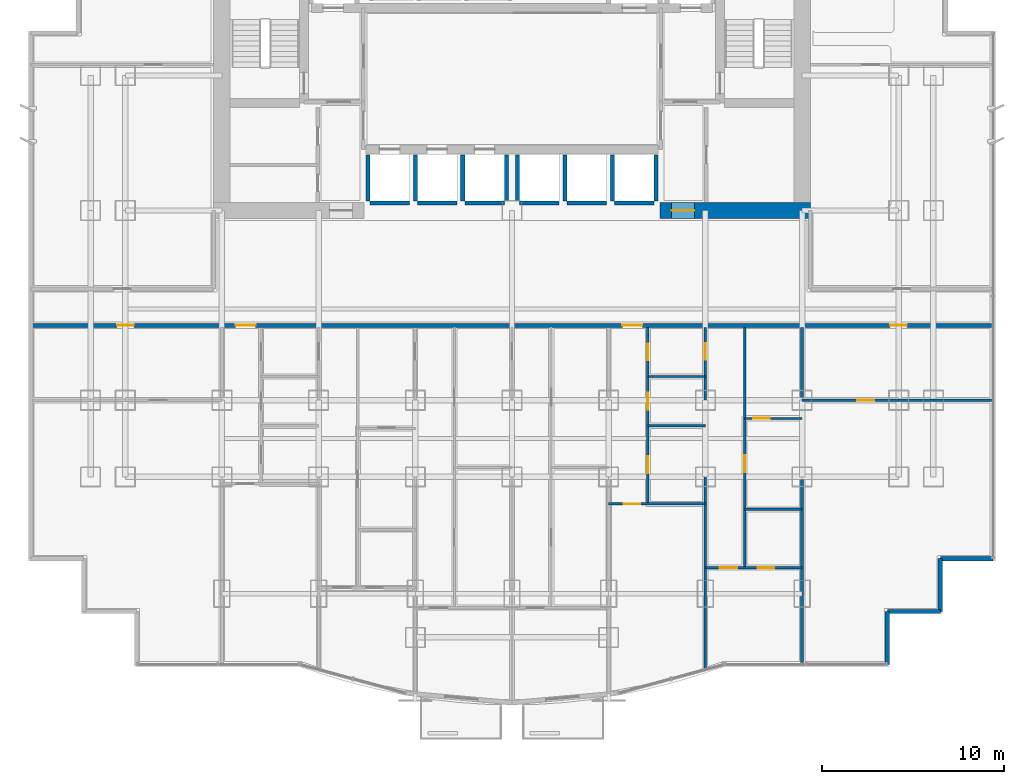
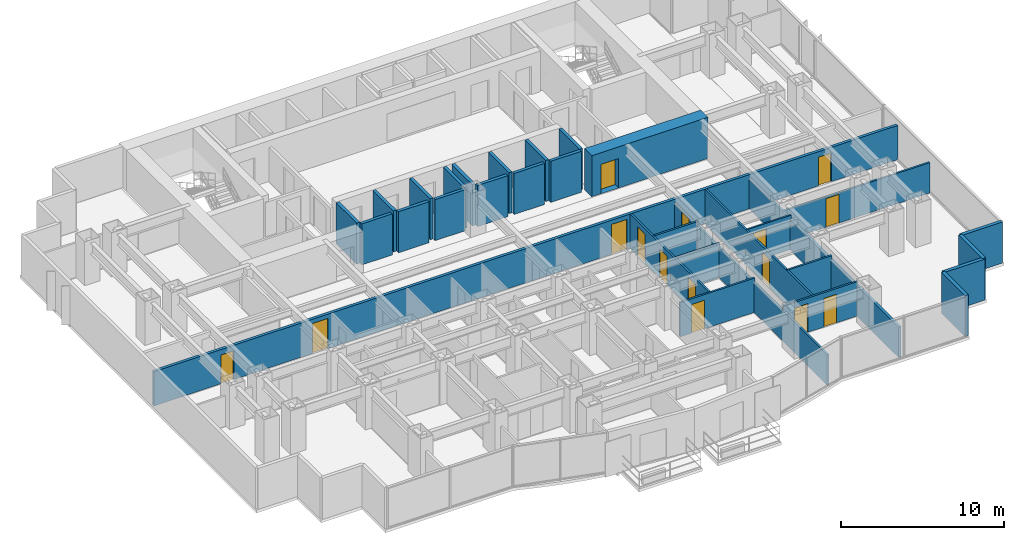
# One storey, part 8 of 12: 31 walls, 15 doors, 15 openings.
"""IFC4 building model written with IfcOpenShell, lengths in metres."""

from ifc_helpers import new_model, si_unit, direction, frame, frame_2d, origin, place, context, subcontext, project, spatial, rectangle, extrude, material, layer, layer_set, type_object, element, fill, save


model = new_model("IFC4")

# Units and contexts
model_context = context("Model", 3, precision=1e-05, world=origin(), true_north=direction((0.0, 1.0)))
body_context = subcontext(model_context, "Body", "Model", "MODEL_VIEW")
ifc_project = project(units=[si_unit("LENGTHUNIT", "METRE"), si_unit("AREAUNIT", "SQUARE_METRE"), si_unit("VOLUMEUNIT", "CUBIC_METRE"), si_unit("PLANEANGLEUNIT", "RADIAN"), si_unit("MASSUNIT", "GRAM", prefix="KILO")], contexts=[model_context])

# Site, building, storey
site_placement = place(None, origin())
site = spatial("IfcSite", under=ifc_project, at=site_placement, CompositionType="ELEMENT")
building_placement = place(site_placement, origin())
building = spatial("IfcBuilding", under=site, at=building_placement, Name="Qianlan Lanfeng Residences", CompositionType="ELEMENT")
storey_placement = place(building_placement, frame((0.0, 0.0, 63.800048828125)))
storey = spatial("IfcBuildingStorey", under=building, at=storey_placement, Name="L17", CompositionType="ELEMENT", Elevation=63.800048828125)

# Wall, opening, door
ifc_material_1 = material(Name="Concrete C70", Category="concrete")
ifc_layer_1 = layer(ifc_material_1, 0.89990234375)
ifc_layer_set_1 = layer_set([ifc_layer_1], Name="Concrete C70")
wall_type_1 = type_object("IfcWallType", Name="CW-RC-900", PredefinedType="SHEAR", material=ifc_layer_set_1)
wall_1_placement = place(storey_placement, frame((34.60009765625, 25.199951171875, 0.0), z_axis=(0.0, 0.0, 1.0), x_axis=(1.0, 0.0, 0.0)))
wall_1 = element("IfcWall", 1, at=wall_1_placement, inside=storey, type_object=wall_type_1, Name="L17 Core Shear Wall SE", PredefinedType="SHEAR", context=body_context, shape_type="SweptSolid", body=[
    extrude(rectangle(XDim=8.25, YDim=0.89990234375, at=frame_2d((4.125, 0.0))), origin(), (0.0, 0.0, 1.0), 3.079833984375),
])
opening_1_placement = place(wall_1_placement, frame((0.64990234375, 0.0, 0.0)))
opening_1 = element("IfcOpeningElement", 2, at=opening_1_placement, cuts=wall_1, Name="Opening L17-D02", PredefinedType="OPENING", context=body_context, shape_type="SweptSolid", body=[
    extrude(rectangle(XDim=1.25, YDim=2.199951171875, at=frame_2d((0.625, 1.10009765625))), frame((0.0, 0.4599609375, 0.0), z_axis=(0.0, -1.0, 0.0), x_axis=(1.0, 0.0, 0.0)), (0.0, 0.0, 1.0), 0.919921875),
])
ifc_material_2 = material(Name="Painted Galvanised Steel Fire Door", Category="steel")
door_type_1 = type_object("IfcDoorType", Name="DT-FFL", OperationType="NOTDEFINED", PredefinedType="DOOR", material=ifc_material_2)
door_1_placement = place(opening_1_placement, frame((1.25, 0.0, 0.0), z_axis=(0.0, 0.0, 1.0), x_axis=(-1.0, 0.0, 0.0)))
door_1 = element("IfcDoor", 3, at=door_1_placement, inside=storey, type_object=door_type_1, Name="L17 East Core Lobby Smoke Door L17-D02 (DT-FFL)", OperationType="SINGLE_SWING_LEFT", OverallHeight=2.199951171875, OverallWidth=1.25, PredefinedType="DOOR", context=body_context, shape_type="SweptSolid", body=[
    extrude(rectangle(XDim=1.25, YDim=2.199951171875, at=frame_2d((0.625, 1.10009765625))), frame((0.0, 0.02490234375, 0.0), z_axis=(0.0, -1.0, 0.0), x_axis=(1.0, 0.0, 0.0)), (0.0, 0.0, 1.0), 0.050048828125),
])
fill(opening_1, door_1)

# Walls
ifc_material_3 = material(Name="Concrete C42", Category="concrete")
ifc_layer_2 = layer(ifc_material_3, 0.239990234375)
ifc_layer_set_2 = layer_set([ifc_layer_2], Name="Concrete C42")
wall_type_2 = type_object("IfcWallType", Name="EW-240", PredefinedType="SOLIDWALL", material=ifc_layer_set_2)
for number, where, z_axis, x_axis, name in (
    (4, (47.080078125, 0.320068359375, 0.0), (0.0, 0.0, 1.0), (0.0, 1.0, 0.0), "L17 Exterior Facade Spandrel Wall 7"),
    (5, (47.080078125, 3.219970703125, 0.0), (0.0, 0.0, 1.0), (1.0, 0.0, 0.0), "L17 Exterior Facade Spandrel Wall 8"),
):
    element("IfcWall", number, at=place(storey_placement, frame(where, z_axis=z_axis, x_axis=x_axis)), inside=storey, type_object=wall_type_2, Name=name, PredefinedType="SOLIDWALL", context=body_context, shape_type="SweptSolid", body=[
        extrude(rectangle(XDim=2.89990234375, YDim=0.239990234375, at=frame_2d((1.449951171875, 0.0))), origin(), (0.0, 0.0, 1.0), 3.079833984375),
    ])
wall_2_placement = place(storey_placement, frame((49.97998046875, 3.219970703125, 0.0), z_axis=(0.0, 0.0, 1.0), x_axis=(0.0, 1.0, 0.0)))
element("IfcWall", 6, at=wall_2_placement, inside=storey, type_object=wall_type_2, Name="L17 Exterior Facade Spandrel Wall 9", PredefinedType="SOLIDWALL", context=body_context, shape_type="SweptSolid", body=[
    extrude(rectangle(XDim=2.900146484375, YDim=0.239990234375, at=frame_2d((1.4501953125, 0.0))), origin(), (0.0, 0.0, 1.0), 3.079833984375),
])
wall_3_placement = place(storey_placement, frame((49.97998046875, 6.1201171875, 0.0), z_axis=(0.0, 0.0, 1.0), x_axis=(1.0, 0.0, 0.0)))
element("IfcWall", 7, at=wall_3_placement, inside=storey, type_object=wall_type_2, Name="L17 Exterior Facade Spandrel Wall 10", PredefinedType="SOLIDWALL", context=body_context, shape_type="SweptSolid", body=[
    extrude(rectangle(XDim=2.89990234375, YDim=0.239990234375, at=frame_2d((1.449951171875, 0.0))), origin(), (0.0, 0.0, 1.0), 3.079833984375),
])

# Wall, opening, door
ifc_material_4 = material(Name="Demountable Acoustic Framing Partition 110 mm")
ifc_layer_3 = layer(ifc_material_4, 0.110107421875)
ifc_layer_set_3 = layer_set([ifc_layer_3], Name="Demountable Acoustic Framing Partition 110 mm")
wall_type_3 = type_object("IfcWallType", Name="PW-110", PredefinedType="MOVABLE", material=ifc_layer_set_3)
wall_4_placement = place(storey_placement, frame((39.25, 13.81005859375, 0.0), z_axis=(0.0, 0.0, 1.0), x_axis=(1.0, 0.0, 0.0)))
wall_4 = element("IfcWall", 8, at=wall_4_placement, inside=storey, type_object=wall_type_3, Name="L17 U02 Wardrobe Split", PredefinedType="MOVABLE", context=body_context, shape_type="SweptSolid", body=[
    extrude(rectangle(XDim=3.14990234375, YDim=0.110107421875, at=frame_2d((1.574951171875, 0.0))), origin(), (0.0, 0.0, 1.0), 2.570068359375),
])
opening_2_placement = place(wall_4_placement, frame((0.465087890625, 0.0, 0.0)))
opening_2 = element("IfcOpeningElement", 9, at=opening_2_placement, cuts=wall_4, Name="Opening L17-D41", PredefinedType="OPENING", context=body_context, shape_type="SweptSolid", body=[
    extrude(rectangle(XDim=0.919921875, YDim=2.14990234375, at=frame_2d((0.4599609375, 1.074951171875))), frame((0.0, 0.06494140625, 0.0), z_axis=(0.0, -1.0, 0.0), x_axis=(1.0, 0.0, 0.0)), (0.0, 0.0, 1.0), 0.130126953125),
])
ifc_material_5 = material(Name="Glazed Timber Kitchen/Study Door", Category="wood")
door_type_2 = type_object("IfcDoorType", Name="DT-INT", OperationType="NOTDEFINED", PredefinedType="DOOR", material=ifc_material_5)
door_2_placement = place(opening_2_placement, origin())
door_2 = element("IfcDoor", 10, at=door_2_placement, inside=storey, type_object=door_type_2, Name="L17 U02 Dressing Inner Door L17-D41 (DT-INT)", OperationType="SINGLE_SWING_RIGHT", OverallHeight=2.14990234375, OverallWidth=0.919921875, PredefinedType="DOOR", context=body_context, shape_type="SweptSolid", body=[
    extrude(rectangle(XDim=0.919921875, YDim=2.14990234375, at=frame_2d((0.4599609375, 1.074951171875))), frame((0.0, 0.02490234375, 0.0), z_axis=(0.0, -1.0, 0.0), x_axis=(1.0, 0.0, 0.0)), (0.0, 0.0, 1.0), 0.050048828125),
])
fill(opening_2, door_2)

ifc_material_6 = material(Name="Moisture-Resistant Gypsum Partition 135 mm")
ifc_layer_4 = layer(ifc_material_6, 0.135009765625)
ifc_layer_set_4 = layer_set([ifc_layer_4], Name="Moisture-Resistant Gypsum Partition 135 mm")
wall_type_4 = type_object("IfcWallType", Name="PW-135", PredefinedType="PARTITIONING", material=ifc_layer_set_4)
wall_5_placement = place(storey_placement, frame((37.10009765625, 0.076904296875, 0.0), z_axis=(0.0, 0.0, 1.0), x_axis=(0.0, 1.0, 0.0)))
wall_5 = element("IfcWall", 11, at=wall_5_placement, inside=storey, type_object=wall_type_4, Name="L17 U02 Bay Spine Wall 1", PredefinedType="PARTITIONING", context=body_context, shape_type="SweptSolid", body=[
    extrude(rectangle(XDim=18.72314453125, YDim=0.135009765625, at=frame_2d((9.361572265625, 0.0))), origin(), (0.0, 0.0, 1.0), 2.27490234375),
])
opening_3_placement = place(wall_5_placement, frame((16.93798828125, 0.0, 0.0)))
opening_3 = element("IfcOpeningElement", 12, at=opening_3_placement, cuts=wall_5, Name="Opening L17-D33", PredefinedType="OPENING", context=body_context, shape_type="SweptSolid", body=[
    extrude(rectangle(XDim=0.919921875, YDim=2.14990234375, at=frame_2d((0.4599609375, 1.074951171875))), frame((0.0, 0.07763671875, 0.0), z_axis=(0.0, -1.0, 0.0), x_axis=(1.0, 0.0, 0.0)), (0.0, 0.0, 1.0), 0.155029296875),
])
door_3_placement = place(opening_3_placement, origin())
door_3 = element("IfcDoor", 13, at=door_3_placement, inside=storey, type_object=door_type_2, Name="L17 U02 Internal Hall Door L17-D33 (DT-INT)", OperationType="SINGLE_SWING_RIGHT", OverallHeight=2.14990234375, OverallWidth=0.919921875, PredefinedType="DOOR", context=body_context, shape_type="SweptSolid", body=[
    extrude(rectangle(XDim=0.919921875, YDim=2.14990234375, at=frame_2d((0.4599609375, 1.074951171875))), frame((0.0, 0.02490234375, 0.0), z_axis=(0.0, -1.0, 0.0), x_axis=(1.0, 0.0, 0.0)), (0.0, 0.0, 1.0), 0.050048828125),
])
fill(opening_3, door_3)

wall_6_placement = place(storey_placement, frame((31.800048828125, 9.113037109375, 0.0), z_axis=(0.0, 0.0, 1.0), x_axis=(1.0, 0.0, 0.0)))
wall_6 = element("IfcWall", 14, at=wall_6_placement, inside=storey, type_object=wall_type_4, Name="L17 U02 Living Divider", PredefinedType="PARTITIONING", context=body_context, shape_type="SweptSolid", body=[
    extrude(rectangle(XDim=5.300048828125, YDim=0.135009765625, at=frame_2d((2.64990234375, 0.0))), origin(), (0.0, 0.0, 1.0), 2.570068359375),
])
opening_4_placement = place(wall_6_placement, frame((0.81494140625, 0.0, 0.0)))
opening_4 = element("IfcOpeningElement", 15, at=opening_4_placement, cuts=wall_6, Name="Opening L17-D34", PredefinedType="OPENING", context=body_context, shape_type="SweptSolid", body=[
    extrude(rectangle(XDim=0.919921875, YDim=2.14990234375, at=frame_2d((0.4599609375, 1.074951171875))), frame((0.0, 0.07763671875, 0.0), z_axis=(0.0, -1.0, 0.0), x_axis=(1.0, 0.0, 0.0)), (0.0, 0.0, 1.0), 0.155029296875),
])
door_4_placement = place(opening_4_placement, origin())
door_4 = element("IfcDoor", 16, at=door_4_placement, inside=storey, type_object=door_type_2, Name="L17 U02 Living Passage Door L17-D34 (DT-INT)", OperationType="SINGLE_SWING_LEFT", OverallHeight=2.14990234375, OverallWidth=0.919921875, PredefinedType="DOOR", context=body_context, shape_type="SweptSolid", body=[
    extrude(rectangle(XDim=0.919921875, YDim=2.14990234375, at=frame_2d((0.4599609375, 1.074951171875))), frame((0.0, 0.02490234375, 0.0), z_axis=(0.0, -1.0, 0.0), x_axis=(1.0, 0.0, 0.0)), (0.0, 0.0, 1.0), 0.050048828125),
])
fill(opening_4, door_4)

# Wall, openings, doors
wall_7_placement = place(storey_placement, frame((33.949951171875, 9.113037109375, 0.0), z_axis=(0.0, 0.0, 1.0), x_axis=(0.0, 1.0, 0.0)))
wall_7 = element("IfcWall", 17, at=wall_7_placement, inside=storey, type_object=wall_type_4, Name="L17 U02 Entry Hall Spine", PredefinedType="PARTITIONING", context=body_context, shape_type="SweptSolid", body=[
    extrude(rectangle(XDim=9.68701171875, YDim=0.135009765625, at=frame_2d((4.843505859375, 0.0))), origin(), (0.0, 0.0, 1.0), 2.570068359375),
])
opening_5_placement = place(wall_7_placement, frame((1.68310546875, 0.0, 0.0)))
opening_5 = element("IfcOpeningElement", 18, at=opening_5_placement, cuts=wall_7, Name="Opening L17-D35", PredefinedType="OPENING", context=body_context, shape_type="SweptSolid", body=[
    extrude(rectangle(XDim=0.919921875, YDim=2.14990234375, at=frame_2d((0.4599609375, 1.074951171875))), frame((0.0, 0.07763671875, 0.0), z_axis=(0.0, -1.0, 0.0), x_axis=(1.0, 0.0, 0.0)), (0.0, 0.0, 1.0), 0.155029296875),
])
opening_6_placement = place(wall_7_placement, frame((5.177001953125, 0.0, 0.0)))
opening_6 = element("IfcOpeningElement", 19, at=opening_6_placement, cuts=wall_7, Name="Opening L17-D36", PredefinedType="OPENING", context=body_context, shape_type="SweptSolid", body=[
    extrude(rectangle(XDim=0.919921875, YDim=2.14990234375, at=frame_2d((0.4599609375, 1.074951171875))), frame((0.0, 0.07763671875, 0.0), z_axis=(0.0, -1.0, 0.0), x_axis=(1.0, 0.0, 0.0)), (0.0, 0.0, 1.0), 0.155029296875),
])
opening_7_placement = place(wall_7_placement, frame((7.886962890625, 0.0, 0.0)))
opening_7 = element("IfcOpeningElement", 20, at=opening_7_placement, cuts=wall_7, Name="Opening L17-D37", PredefinedType="OPENING", context=body_context, shape_type="SweptSolid", body=[
    extrude(rectangle(XDim=0.89990234375, YDim=2.14990234375, at=frame_2d((0.449951171875, 1.074951171875))), frame((0.0, 0.07763671875, 0.0), z_axis=(0.0, -1.0, 0.0), x_axis=(1.0, 0.0, 0.0)), (0.0, 0.0, 1.0), 0.155029296875),
])
door_5_placement = place(opening_5_placement, origin())
door_5 = element("IfcDoor", 21, at=door_5_placement, inside=storey, type_object=door_type_2, Name="L17 U02 Study Door L17-D35 (DT-INT)", OperationType="SINGLE_SWING_RIGHT", OverallHeight=2.14990234375, OverallWidth=0.919921875, PredefinedType="DOOR", context=body_context, shape_type="SweptSolid", body=[
    extrude(rectangle(XDim=0.919921875, YDim=2.14990234375, at=frame_2d((0.4599609375, 1.074951171875))), frame((0.0, 0.02490234375, 0.0), z_axis=(0.0, -1.0, 0.0), x_axis=(1.0, 0.0, 0.0)), (0.0, 0.0, 1.0), 0.050048828125),
])
fill(opening_5, door_5)
door_6_placement = place(opening_6_placement, origin())
door_6 = element("IfcDoor", 22, at=door_6_placement, inside=storey, type_object=door_type_2, Name="L17 U02 Kitchen Door L17-D36 (DT-INT)", OperationType="SINGLE_SWING_LEFT", OverallHeight=2.14990234375, OverallWidth=0.919921875, PredefinedType="DOOR", context=body_context, shape_type="SweptSolid", body=[
    extrude(rectangle(XDim=0.919921875, YDim=2.14990234375, at=frame_2d((0.4599609375, 1.074951171875))), frame((0.0, 0.02490234375, 0.0), z_axis=(0.0, -1.0, 0.0), x_axis=(1.0, 0.0, 0.0)), (0.0, 0.0, 1.0), 0.050048828125),
])
fill(opening_6, door_6)
ifc_material_7 = material(Name="Moisture-Resistant Timber Leaf", Category="wood")
door_type_3 = type_object("IfcDoorType", Name="DT-WC", OperationType="NOTDEFINED", PredefinedType="DOOR", material=ifc_material_7)
door_7_placement = place(opening_7_placement, origin())
door_7 = element("IfcDoor", 23, at=door_7_placement, inside=storey, type_object=door_type_3, Name="L17 U02 Bathroom Door L17-D37 (DT-WC)", OperationType="SINGLE_SWING_RIGHT", OverallHeight=2.14990234375, OverallWidth=0.89990234375, PredefinedType="DOOR", context=body_context, shape_type="SweptSolid", body=[
    extrude(rectangle(XDim=0.89990234375, YDim=2.14990234375, at=frame_2d((0.449951171875, 1.074951171875))), frame((0.0, 0.02490234375, 0.0), z_axis=(0.0, -1.0, 0.0), x_axis=(1.0, 0.0, 0.0)), (0.0, 0.0, 1.0), 0.050048828125),
])
fill(opening_7, door_7)

# Walls
for number, where, z_axis, x_axis, name in (
    (24, (33.949951171875, 13.39990234375, 0.0), (0.0, 0.0, 1.0), (1.0, 0.0, 0.0), "L17 U02 Kitchen South Wall"),
    (25, (33.949951171875, 16.10009765625, 0.0), (0.0, 0.0, 1.0), (1.0, 0.0, 0.0), "L17 U02 Bathroom South Wall"),
):
    element("IfcWall", number, at=place(storey_placement, frame(where, z_axis=z_axis, x_axis=x_axis)), inside=storey, type_object=wall_type_4, Name=name, PredefinedType="PARTITIONING", context=body_context, shape_type="SweptSolid", body=[
        extrude(rectangle(XDim=3.150146484375, YDim=0.135009765625, at=frame_2d((1.5751953125, 0.0))), origin(), (0.0, 0.0, 1.0), 2.570068359375),
    ])

# Wall, openings, doors
wall_8_placement = place(storey_placement, frame((37.10009765625, 5.6201171875, 0.0), z_axis=(0.0, 0.0, 1.0), x_axis=(1.0, 0.0, 0.0)))
wall_8 = element("IfcWall", 26, at=wall_8_placement, inside=storey, type_object=wall_type_4, Name="L17 U02 Master Bedroom North Wall", PredefinedType="PARTITIONING", context=body_context, shape_type="SweptSolid", body=[
    extrude(rectangle(XDim=5.2998046875, YDim=0.135009765625, at=frame_2d((2.64990234375, 0.0))), origin(), (0.0, 0.0, 1.0), 2.570068359375),
])
opening_8_placement = place(wall_8_placement, frame((0.800048828125, 0.0, 0.0)))
opening_8 = element("IfcOpeningElement", 27, at=opening_8_placement, cuts=wall_8, Name="Opening L17-D38", PredefinedType="OPENING", context=body_context, shape_type="SweptSolid", body=[
    extrude(rectangle(XDim=0.949951171875, YDim=2.14990234375, at=frame_2d((0.47509765625, 1.074951171875))), frame((0.0, 0.07763671875, 0.0), z_axis=(0.0, -1.0, 0.0), x_axis=(1.0, 0.0, 0.0)), (0.0, 0.0, 1.0), 0.155029296875),
])
opening_9_placement = place(wall_8_placement, frame((2.875, 0.0, 0.0)))
opening_9 = element("IfcOpeningElement", 28, at=opening_9_placement, cuts=wall_8, Name="Opening L17-D39", PredefinedType="OPENING", context=body_context, shape_type="SweptSolid", body=[
    extrude(rectangle(XDim=0.89990234375, YDim=2.14990234375, at=frame_2d((0.449951171875, 1.074951171875))), frame((0.0, 0.07763671875, 0.0), z_axis=(0.0, -1.0, 0.0), x_axis=(1.0, 0.0, 0.0)), (0.0, 0.0, 1.0), 0.155029296875),
])
ifc_material_8 = material(Name="Painted Solid-Core Timber Leaf", Category="wood")
door_type_4 = type_object("IfcDoorType", Name="DT-BED", OperationType="NOTDEFINED", PredefinedType="DOOR", material=ifc_material_8)
door_8_placement = place(opening_8_placement, origin())
door_8 = element("IfcDoor", 29, at=door_8_placement, inside=storey, type_object=door_type_4, Name="L17 U02 Master Bedroom Door L17-D38 (DT-BED)", OperationType="SINGLE_SWING_LEFT", OverallHeight=2.14990234375, OverallWidth=0.949951171875, PredefinedType="DOOR", context=body_context, shape_type="SweptSolid", body=[
    extrude(rectangle(XDim=0.949951171875, YDim=2.14990234375, at=frame_2d((0.47509765625, 1.074951171875))), frame((0.0, 0.02490234375, 0.0), z_axis=(0.0, -1.0, 0.0), x_axis=(1.0, 0.0, 0.0)), (0.0, 0.0, 1.0), 0.050048828125),
])
fill(opening_8, door_8)
door_9_placement = place(opening_9_placement, origin())
door_9 = element("IfcDoor", 30, at=door_9_placement, inside=storey, type_object=door_type_3, Name="L17 U02 En-Suite Bathroom Door L17-D39 (DT-WC)", OperationType="SINGLE_SWING_RIGHT", OverallHeight=2.14990234375, OverallWidth=0.89990234375, PredefinedType="DOOR", context=body_context, shape_type="SweptSolid", body=[
    extrude(rectangle(XDim=0.89990234375, YDim=2.14990234375, at=frame_2d((0.449951171875, 1.074951171875))), frame((0.0, 0.02490234375, 0.0), z_axis=(0.0, -1.0, 0.0), x_axis=(1.0, 0.0, 0.0)), (0.0, 0.0, 1.0), 0.050048828125),
])
fill(opening_9, door_9)

# Wall, opening, door
wall_9_placement = place(storey_placement, frame((39.25, 5.6201171875, 0.0), z_axis=(0.0, 0.0, 1.0), x_axis=(0.0, 1.0, 0.0)))
wall_9 = element("IfcWall", 31, at=wall_9_placement, inside=storey, type_object=wall_type_4, Name="L17 U02 Master Passage Wall", PredefinedType="PARTITIONING", context=body_context, shape_type="SweptSolid", body=[
    extrude(rectangle(XDim=13.179931640625, YDim=0.135009765625, at=frame_2d((6.58984375, 0.0))), origin(), (0.0, 0.0, 1.0), 2.570068359375),
])
opening_10_placement = place(wall_9_placement, frame((5.235107421875, 0.0, 0.0)))
opening_10 = element("IfcOpeningElement", 32, at=opening_10_placement, cuts=wall_9, Name="Opening L17-D40", PredefinedType="OPENING", context=body_context, shape_type="SweptSolid", body=[
    extrude(rectangle(XDim=0.919921875, YDim=2.14990234375, at=frame_2d((0.4599609375, 1.074951171875))), frame((0.0, 0.07763671875, 0.0), z_axis=(0.0, -1.0, 0.0), x_axis=(1.0, 0.0, 0.0)), (0.0, 0.0, 1.0), 0.155029296875),
])
door_10_placement = place(opening_10_placement, origin())
door_10 = element("IfcDoor", 33, at=door_10_placement, inside=storey, type_object=door_type_2, Name="L17 U02 Wardrobe Door L17-D40 (DT-INT)", OperationType="SINGLE_SWING_LEFT", OverallHeight=2.14990234375, OverallWidth=0.919921875, PredefinedType="DOOR", context=body_context, shape_type="SweptSolid", body=[
    extrude(rectangle(XDim=0.919921875, YDim=2.14990234375, at=frame_2d((0.4599609375, 1.074951171875))), frame((0.0, 0.02490234375, 0.0), z_axis=(0.0, -1.0, 0.0), x_axis=(1.0, 0.0, 0.0)), (0.0, 0.0, 1.0), 0.050048828125),
])
fill(opening_10, door_10)

# Wall
wall_10_placement = place(storey_placement, frame((39.25, 8.820068359375, 0.0), z_axis=(0.0, 0.0, 1.0), x_axis=(1.0, 0.0, 0.0)))
element("IfcWall", 34, at=wall_10_placement, inside=storey, type_object=wall_type_4, Name="L17 U02 En-Suite North Wall", PredefinedType="PARTITIONING", context=body_context, shape_type="SweptSolid", body=[
    extrude(rectangle(XDim=3.14990234375, YDim=0.135009765625, at=frame_2d((1.574951171875, 0.0))), origin(), (0.0, 0.0, 1.0), 2.570068359375),
])

# Wall, opening, door
wall_11_placement = place(storey_placement, frame((42.39990234375, 14.800048828125, 0.0), z_axis=(0.0, 0.0, 1.0), x_axis=(1.0, 0.0, 0.0)))
wall_11 = element("IfcWall", 35, at=wall_11_placement, inside=storey, type_object=wall_type_4, Name="L17 SEP Mid Partition", PredefinedType="PARTITIONING", context=body_context, shape_type="SweptSolid", body=[
    extrude(rectangle(XDim=10.380126953125, YDim=0.135009765625, at=frame_2d((5.18994140625, 0.0))), origin(), (0.0, 0.0, 1.0), 2.27490234375),
])
opening_11_placement = place(wall_11_placement, frame((3.030029296875, 0.0, 0.0)))
opening_11 = element("IfcOpeningElement", 36, at=opening_11_placement, cuts=wall_11, Name="Opening L17-D44", PredefinedType="OPENING", context=body_context, shape_type="SweptSolid", body=[
    extrude(rectangle(XDim=0.919921875, YDim=2.14990234375, at=frame_2d((0.4599609375, 1.074951171875))), frame((0.0, 0.07763671875, 0.0), z_axis=(0.0, -1.0, 0.0), x_axis=(1.0, 0.0, 0.0)), (0.0, 0.0, 1.0), 0.155029296875),
])
door_11_placement = place(opening_11_placement, origin())
door_11 = element("IfcDoor", 37, at=door_11_placement, inside=storey, type_object=door_type_2, Name="L17 SEP Inner Door L17-D44 (DT-INT)", OperationType="SINGLE_SWING_LEFT", OverallHeight=2.14990234375, OverallWidth=0.919921875, PredefinedType="DOOR", context=body_context, shape_type="SweptSolid", body=[
    extrude(rectangle(XDim=0.919921875, YDim=2.14990234375, at=frame_2d((0.4599609375, 1.074951171875))), frame((0.0, 0.02490234375, 0.0), z_axis=(0.0, -1.0, 0.0), x_axis=(1.0, 0.0, 0.0)), (0.0, 0.0, 1.0), 0.050048828125),
])
fill(opening_11, door_11)

# Wall
ifc_material_9 = material(Name="Double-Layer Acoustic Gypsum Stud Wall 180 mm")
ifc_layer_5 = layer(ifc_material_9, 0.179931640625)
ifc_layer_set_5 = layer_set([ifc_layer_5], Name="Double-Layer Acoustic Gypsum Stud Wall 180 mm")
wall_type_5 = type_object("IfcWallType", Name="PW-180", PredefinedType="PARTITIONING", material=ifc_layer_set_5)
wall_12_placement = place(storey_placement, frame((42.39990234375, 0.419921875, 0.0), z_axis=(0.0, 0.0, 1.0), x_axis=(0.0, 1.0, 0.0)))
element("IfcWall", 38, at=wall_12_placement, inside=storey, type_object=wall_type_5, Name="L17 Wing Boundary Party Wall E0", PredefinedType="PARTITIONING", context=body_context, shape_type="SweptSolid", body=[
    extrude(rectangle(XDim=18.380126953125, YDim=0.179931640625, at=frame_2d((9.18994140625, 0.0))), origin(), (0.0, 0.0, 1.0), 2.27490234375),
])

# Wall, openings, doors
ifc_material_10 = material(Name="Autoclaved Aerated Concrete Blockwork 200 mm", Category="masonry")
ifc_layer_6 = layer(ifc_material_10, 0.199951171875)
ifc_layer_set_6 = layer_set([ifc_layer_6], Name="Autoclaved Aerated Concrete Blockwork 200 mm")
wall_type_6 = type_object("IfcWallType", Name="PW-200", PredefinedType="PARTITIONING", material=ifc_layer_set_6)
wall_13_placement = place(storey_placement, frame((0.1201171875, 18.89990234375, 0.0), z_axis=(0.0, 0.0, 1.0), x_axis=(1.0, 0.0, 0.0)))
wall_13 = element("IfcWall", 39, at=wall_13_placement, inside=storey, type_object=wall_type_6, Name="L17 Residential Corridor South Fire Wall", PredefinedType="PARTITIONING", context=body_context, shape_type="SweptSolid", body=[
    extrude(rectangle(XDim=52.759765625, YDim=0.199951171875, at=frame_2d((26.3798828125, 0.0))), origin(), (0.0, 0.0, 1.0), 2.570068359375),
])
opening_12_placement = place(wall_13_placement, frame((11.22998046875, 0.0, 0.0)))
opening_12 = element("IfcOpeningElement", 40, at=opening_12_placement, cuts=wall_13, Name="Opening L17-D14", PredefinedType="OPENING", context=body_context, shape_type="SweptSolid", body=[
    extrude(rectangle(XDim=1.10009765625, YDim=2.25, at=frame_2d((0.550048828125, 1.125))), frame((0.0, 0.10986328125, 0.0), z_axis=(0.0, -1.0, 0.0), x_axis=(1.0, 0.0, 0.0)), (0.0, 0.0, 1.0), 0.219970703125),
])
opening_13_placement = place(wall_13_placement, frame((32.429931640625, 0.0, 0.0)))
opening_13 = element("IfcOpeningElement", 41, at=opening_13_placement, cuts=wall_13, Name="Opening L17-D32", PredefinedType="OPENING", context=body_context, shape_type="SweptSolid", body=[
    extrude(rectangle(XDim=1.10009765625, YDim=2.25, at=frame_2d((0.550048828125, 1.125))), frame((0.0, 0.10986328125, 0.0), z_axis=(0.0, -1.0, 0.0), x_axis=(1.0, 0.0, 0.0)), (0.0, 0.0, 1.0), 0.219970703125),
])
opening_14_placement = place(wall_13_placement, frame((4.735107421875, 0.0, 0.0)))
opening_14 = element("IfcOpeningElement", 42, at=opening_14_placement, cuts=wall_13, Name="Opening L17-D43", PredefinedType="OPENING", context=body_context, shape_type="SweptSolid", body=[
    extrude(rectangle(XDim=0.919921875, YDim=2.14990234375, at=frame_2d((0.4599609375, 1.074951171875))), frame((0.0, 0.10986328125, 0.0), z_axis=(0.0, -1.0, 0.0), x_axis=(1.0, 0.0, 0.0)), (0.0, 0.0, 1.0), 0.219970703125),
])
opening_15_placement = place(wall_13_placement, frame((47.10498046875, 0.0, 0.0)))
opening_15 = element("IfcOpeningElement", 43, at=opening_15_placement, cuts=wall_13, Name="Opening L17-D45", PredefinedType="OPENING", context=body_context, shape_type="SweptSolid", body=[
    extrude(rectangle(XDim=0.919921875, YDim=2.14990234375, at=frame_2d((0.4599609375, 1.074951171875))), frame((0.0, 0.10986328125, 0.0), z_axis=(0.0, -1.0, 0.0), x_axis=(1.0, 0.0, 0.0)), (0.0, 0.0, 1.0), 0.219970703125),
])
door_12_placement = place(opening_14_placement, origin())
door_12 = element("IfcDoor", 44, at=door_12_placement, inside=storey, type_object=door_type_2, Name="L17 SWP Corridor Door L17-D43 (DT-INT)", OperationType="SINGLE_SWING_RIGHT", OverallHeight=2.14990234375, OverallWidth=0.919921875, PredefinedType="DOOR", context=body_context, shape_type="SweptSolid", body=[
    extrude(rectangle(XDim=0.919921875, YDim=2.14990234375, at=frame_2d((0.4599609375, 1.074951171875))), frame((0.0, 0.02490234375, 0.0), z_axis=(0.0, -1.0, 0.0), x_axis=(1.0, 0.0, 0.0)), (0.0, 0.0, 1.0), 0.050048828125),
])
fill(opening_14, door_12)
door_13_placement = place(opening_15_placement, origin())
door_13 = element("IfcDoor", 45, at=door_13_placement, inside=storey, type_object=door_type_2, Name="L17 SEP Corridor Door L17-D45 (DT-INT)", OperationType="SINGLE_SWING_RIGHT", OverallHeight=2.14990234375, OverallWidth=0.919921875, PredefinedType="DOOR", context=body_context, shape_type="SweptSolid", body=[
    extrude(rectangle(XDim=0.919921875, YDim=2.14990234375, at=frame_2d((0.4599609375, 1.074951171875))), frame((0.0, 0.02490234375, 0.0), z_axis=(0.0, -1.0, 0.0), x_axis=(1.0, 0.0, 0.0)), (0.0, 0.0, 1.0), 0.050048828125),
])
fill(opening_15, door_13)
ifc_material_11 = material(Name="Solid-Core Oak Veneer Fire Door")
door_type_5 = type_object("IfcDoorType", Name="DT-UNIT", OperationType="NOTDEFINED", PredefinedType="DOOR", material=ifc_material_11)
door_14_placement = place(opening_12_placement, origin())
door_14 = element("IfcDoor", 46, at=door_14_placement, inside=storey, type_object=door_type_5, Name="L17 Apartment U01 Entrance Door L17-D14 (DT-UNIT)", OperationType="SINGLE_SWING_RIGHT", OverallHeight=2.25, OverallWidth=1.10009765625, PredefinedType="DOOR", context=body_context, shape_type="SweptSolid", body=[
    extrude(rectangle(XDim=1.10009765625, YDim=2.25, at=frame_2d((0.550048828125, 1.125))), frame((0.0, 0.02490234375, 0.0), z_axis=(0.0, -1.0, 0.0), x_axis=(1.0, 0.0, 0.0)), (0.0, 0.0, 1.0), 0.050048828125),
])
fill(opening_12, door_14)
door_15_placement = place(opening_13_placement, origin())
door_15 = element("IfcDoor", 47, at=door_15_placement, inside=storey, type_object=door_type_5, Name="L17 Apartment U02 Entrance Door L17-D32 (DT-UNIT)", OperationType="SINGLE_SWING_RIGHT", OverallHeight=2.25, OverallWidth=1.10009765625, PredefinedType="DOOR", context=body_context, shape_type="SweptSolid", body=[
    extrude(rectangle(XDim=1.10009765625, YDim=2.25, at=frame_2d((0.550048828125, 1.125))), frame((0.0, 0.02490234375, 0.0), z_axis=(0.0, -1.0, 0.0), x_axis=(1.0, 0.0, 0.0)), (0.0, 0.0, 1.0), 0.050048828125),
])
fill(opening_13, door_15)

# Walls
ifc_material_12 = material(Name="Concrete C49", Category="concrete")
ifc_layer_7 = layer(ifc_material_12, 0.219970703125)
ifc_layer_set_7 = layer_set([ifc_layer_7], Name="Concrete C49")
wall_type_7 = type_object("IfcWallType", Name="SHW-220", PredefinedType="SOLIDWALL", material=ifc_layer_set_7)
wall_14_placement = place(storey_placement, frame((18.60009765625, 25.719970703125, 0.0), z_axis=(0.0, 0.0, 1.0), x_axis=(0.0, 1.0, 0.0)))
element("IfcWall", 48, at=wall_14_placement, inside=storey, type_object=wall_type_7, Name="L17 Lift PL-L1 Shaft Wall W", PredefinedType="SOLIDWALL", context=body_context, shape_type="SweptSolid", body=[
    extrude(rectangle(XDim=2.530029296875, YDim=0.219970703125, at=frame_2d((1.26513671875, 0.0))), origin(), (0.0, 0.0, 1.0), 3.079833984375),
])
wall_15_placement = place(storey_placement, frame((18.719970703125, 25.60009765625, 0.0), z_axis=(0.0, 0.0, 1.0), x_axis=(1.0, 0.0, 0.0)))
element("IfcWall", 49, at=wall_15_placement, inside=storey, type_object=wall_type_7, Name="L17 Lift PL-L1 Shaft Back Wall S", PredefinedType="SOLIDWALL", context=body_context, shape_type="SweptSolid", body=[
    extrude(rectangle(XDim=2.159912109375, YDim=0.219970703125, at=frame_2d((1.080078125, 0.0))), origin(), (0.0, 0.0, 1.0), 3.079833984375),
])
wall_16_placement = place(storey_placement, frame((21.199951171875, 25.719970703125, 0.0), z_axis=(0.0, 0.0, 1.0), x_axis=(0.0, 1.0, 0.0)))
element("IfcWall", 50, at=wall_16_placement, inside=storey, type_object=wall_type_7, Name="L17 Lift PL-L2 Shaft Wall W", PredefinedType="SOLIDWALL", context=body_context, shape_type="SweptSolid", body=[
    extrude(rectangle(XDim=2.530029296875, YDim=0.219970703125, at=frame_2d((1.26513671875, 0.0))), origin(), (0.0, 0.0, 1.0), 3.079833984375),
])
wall_17_placement = place(storey_placement, frame((21.320068359375, 25.60009765625, 0.0), z_axis=(0.0, 0.0, 1.0), x_axis=(1.0, 0.0, 0.0)))
element("IfcWall", 51, at=wall_17_placement, inside=storey, type_object=wall_type_7, Name="L17 Lift PL-L2 Shaft Back Wall S", PredefinedType="SOLIDWALL", context=body_context, shape_type="SweptSolid", body=[
    extrude(rectangle(XDim=2.159912109375, YDim=0.219970703125, at=frame_2d((1.080078125, 0.0))), origin(), (0.0, 0.0, 1.0), 3.079833984375),
])
for number, where, z_axis, x_axis, name in (
    (52, (23.800048828125, 25.719970703125, 0.0), (0.0, 0.0, 1.0), (0.0, 1.0, 0.0), "L17 Lift PL-L3 Shaft Wall W"),
    (53, (26.199951171875, 25.719970703125, 0.0), (0.0, 0.0, 1.0), (0.0, 1.0, 0.0), "L17 Lift PL-L3 Shaft Wall E"),
):
    element("IfcWall", number, at=place(storey_placement, frame(where, z_axis=z_axis, x_axis=x_axis)), inside=storey, type_object=wall_type_7, Name=name, PredefinedType="SOLIDWALL", context=body_context, shape_type="SweptSolid", body=[
        extrude(rectangle(XDim=2.530029296875, YDim=0.219970703125, at=frame_2d((1.26513671875, 0.0))), origin(), (0.0, 0.0, 1.0), 3.079833984375),
    ])
wall_18_placement = place(storey_placement, frame((23.919921875, 25.60009765625, 0.0), z_axis=(0.0, 0.0, 1.0), x_axis=(1.0, 0.0, 0.0)))
element("IfcWall", 54, at=wall_18_placement, inside=storey, type_object=wall_type_7, Name="L17 Lift PL-L3 Shaft Back Wall S", PredefinedType="SOLIDWALL", context=body_context, shape_type="SweptSolid", body=[
    extrude(rectangle(XDim=2.16015625, YDim=0.219970703125, at=frame_2d((1.080078125, 0.0))), origin(), (0.0, 0.0, 1.0), 3.079833984375),
])
wall_19_placement = place(storey_placement, frame((26.800048828125, 25.719970703125, 0.0), z_axis=(0.0, 0.0, 1.0), x_axis=(0.0, 1.0, 0.0)))
element("IfcWall", 55, at=wall_19_placement, inside=storey, type_object=wall_type_7, Name="L17 Lift PL-M1 Shaft Wall W", PredefinedType="SOLIDWALL", context=body_context, shape_type="SweptSolid", body=[
    extrude(rectangle(XDim=2.530029296875, YDim=0.219970703125, at=frame_2d((1.26513671875, 0.0))), origin(), (0.0, 0.0, 1.0), 3.079833984375),
])
wall_20_placement = place(storey_placement, frame((26.919921875, 25.60009765625, 0.0), z_axis=(0.0, 0.0, 1.0), x_axis=(1.0, 0.0, 0.0)))
element("IfcWall", 56, at=wall_20_placement, inside=storey, type_object=wall_type_7, Name="L17 Lift PL-M1 Shaft Back Wall S", PredefinedType="SOLIDWALL", context=body_context, shape_type="SweptSolid", body=[
    extrude(rectangle(XDim=2.16015625, YDim=0.219970703125, at=frame_2d((1.080078125, 0.0))), origin(), (0.0, 0.0, 1.0), 3.079833984375),
])
wall_21_placement = place(storey_placement, frame((29.39990234375, 25.719970703125, 0.0), z_axis=(0.0, 0.0, 1.0), x_axis=(0.0, 1.0, 0.0)))
element("IfcWall", 57, at=wall_21_placement, inside=storey, type_object=wall_type_7, Name="L17 Lift PL-M2 Shaft Wall W", PredefinedType="SOLIDWALL", context=body_context, shape_type="SweptSolid", body=[
    extrude(rectangle(XDim=2.530029296875, YDim=0.219970703125, at=frame_2d((1.26513671875, 0.0))), origin(), (0.0, 0.0, 1.0), 3.079833984375),
])
wall_22_placement = place(storey_placement, frame((29.52001953125, 25.60009765625, 0.0), z_axis=(0.0, 0.0, 1.0), x_axis=(1.0, 0.0, 0.0)))
element("IfcWall", 58, at=wall_22_placement, inside=storey, type_object=wall_type_7, Name="L17 Lift PL-M2 Shaft Back Wall S", PredefinedType="SOLIDWALL", context=body_context, shape_type="SweptSolid", body=[
    extrude(rectangle(XDim=2.159912109375, YDim=0.219970703125, at=frame_2d((1.080078125, 0.0))), origin(), (0.0, 0.0, 1.0), 3.079833984375),
])
for number, where, z_axis, x_axis, name in (
    (59, (32.0, 25.719970703125, 0.0), (0.0, 0.0, 1.0), (0.0, 1.0, 0.0), "L17 Lift PL-M3 Shaft Wall W"),
    (60, (34.39990234375, 25.719970703125, 0.0), (0.0, 0.0, 1.0), (0.0, 1.0, 0.0), "L17 Lift PL-M3 Shaft Wall E"),
):
    element("IfcWall", number, at=place(storey_placement, frame(where, z_axis=z_axis, x_axis=x_axis)), inside=storey, type_object=wall_type_7, Name=name, PredefinedType="SOLIDWALL", context=body_context, shape_type="SweptSolid", body=[
        extrude(rectangle(XDim=2.530029296875, YDim=0.219970703125, at=frame_2d((1.26513671875, 0.0))), origin(), (0.0, 0.0, 1.0), 3.079833984375),
    ])
wall_23_placement = place(storey_placement, frame((32.1201171875, 25.60009765625, 0.0), z_axis=(0.0, 0.0, 1.0), x_axis=(1.0, 0.0, 0.0)))
element("IfcWall", 61, at=wall_23_placement, inside=storey, type_object=wall_type_7, Name="L17 Lift PL-M3 Shaft Back Wall S", PredefinedType="SOLIDWALL", context=body_context, shape_type="SweptSolid", body=[
    extrude(rectangle(XDim=2.159912109375, YDim=0.219970703125, at=frame_2d((1.080078125, 0.0))), origin(), (0.0, 0.0, 1.0), 3.079833984375),
])

save(model, "model.ifc")
